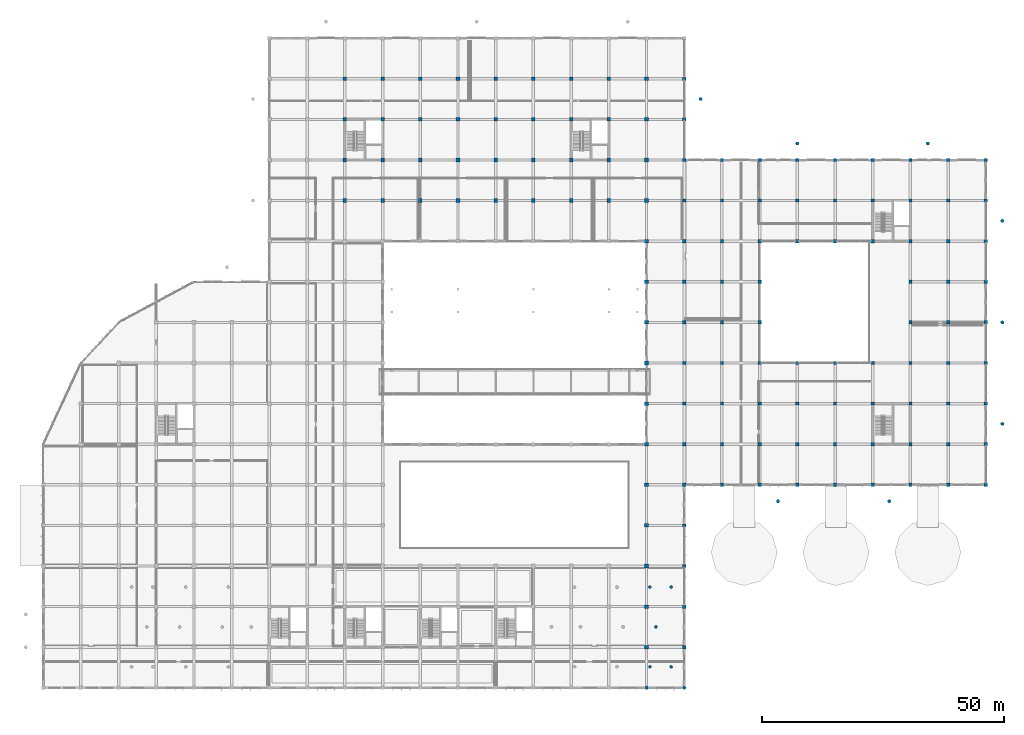
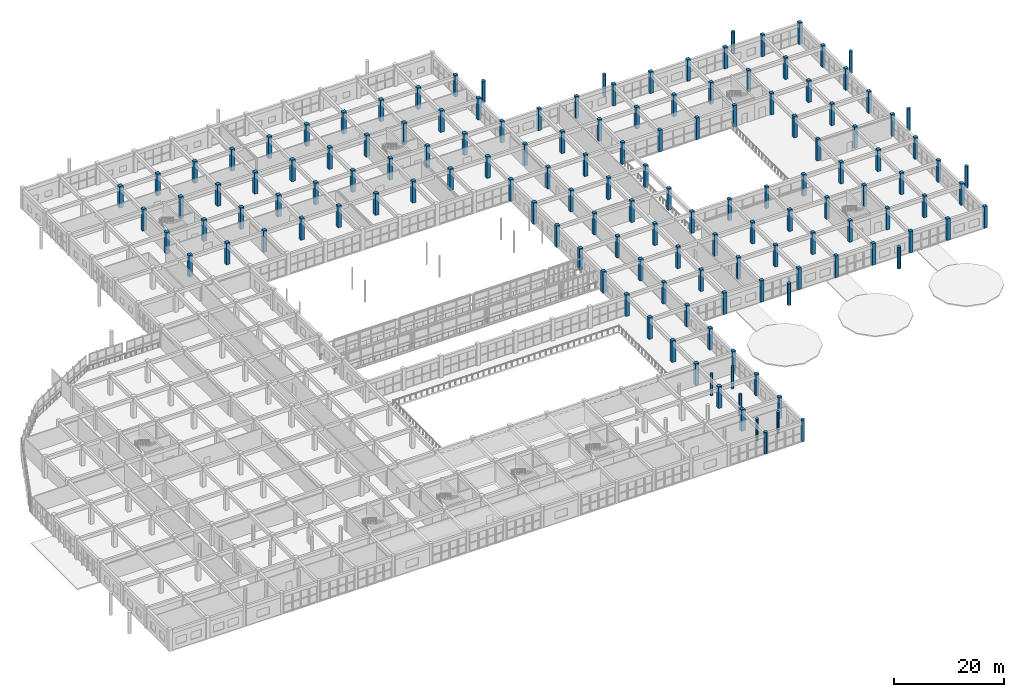
# One storey, part 8 of 175: 143 columns.
"""IFC4 building model written with IfcOpenShell, lengths in metres."""

from ifc_helpers import new_model, si_unit, direction, frame, origin, origin_2d, place, context, subcontext, project, spatial, rectangle, circle, extrude, material, material_profile, profile_set, type_object, element, save


model = new_model("IFC4")

# Units and contexts
model_context = context("Model", 3, precision=1e-05, world=origin(), true_north=direction((0.0, 1.0)))
body_context = subcontext(model_context, "Body", "Model", "MODEL_VIEW")
ifc_project = project(units=[si_unit("LENGTHUNIT", "METRE"), si_unit("AREAUNIT", "SQUARE_METRE"), si_unit("VOLUMEUNIT", "CUBIC_METRE"), si_unit("PLANEANGLEUNIT", "RADIAN"), si_unit("MASSUNIT", "GRAM", prefix="KILO")], contexts=[model_context])

# Site, building, storey
site_placement = place(None, origin())
site = spatial("IfcSite", under=ifc_project, at=site_placement, CompositionType="ELEMENT")
building_placement = place(site_placement, origin())
building = spatial("IfcBuilding", under=site, at=building_placement, Name="Zizhar Promenade General Hospital", CompositionType="ELEMENT")
storey_placement = place(building_placement, frame((0.0, 0.0, 4.800048828125)))
storey = spatial("IfcBuildingStorey", under=building, at=storey_placement, Name="L01", CompositionType="ELEMENT", Elevation=4.800048828125)

# Columns
ifc_material_1 = material(Name="Concrete C40/50", Category="concrete")
ifc_material_profile_1 = material_profile(ifc_material_1, circle(Radius=0.300048828125, at=origin_2d()))
ifc_profile_set_1 = profile_set([ifc_material_profile_1], Name="Concrete C40/50")
column_type_1 = type_object("IfcColumnType", Name="COL-CIRC-600", PredefinedType="PILASTER", material=ifc_profile_set_1)
for number, where, z_axis, x_axis, name in (
    (1, (129.89990234375, 4.35009765625, 0.0), (0.0, 0.0, 1.0), (1.0, 0.0, 0.0), "Ward Terrace Interior Support Column L06-E0 (L01)"),
    (2, (129.89990234375, 20.85009765625, 0.0), (0.0, 0.0, 1.0), (1.0, 0.0, 0.0), "Ward Terrace Interior Support Column L06-E1 (L01)"),
    (3, (126.75, 12.60009765625, 0.0), (0.0, 0.0, 1.0), (1.0, 0.0, 0.0), "Ward Terrace Interior Support Column L06-E2 (L01)"),
    (4, (125.5, 4.35009765625, 0.0), (0.0, 0.0, 1.0), (1.0, 0.0, 0.0), "Ward Terrace Interior Support Column L07-E0 (L01)"),
    (5, (125.5, 20.85009765625, 0.0), (0.0, 0.0, 1.0), (1.0, 0.0, 0.0), "Ward Terrace Interior Support Column L07-E1 (L01)"),
):
    element("IfcColumn", number, at=place(storey_placement, frame(where, z_axis=z_axis, x_axis=x_axis)), inside=storey, type_object=column_type_1, Name=name, PredefinedType="PILASTER", context=body_context, shape_type="SweptSolid", body=[
        extrude(circle(Radius=0.300048828125, at=origin_2d()), origin(), (0.0, 0.0, 1.0), 4.800048828125),
    ])
ifc_material_2 = material(Name="Concrete C40/50", Category="concrete")
ifc_material_profile_2 = material_profile(ifc_material_2, circle(Radius=0.35009765625, at=origin_2d()))
ifc_profile_set_2 = profile_set([ifc_material_profile_2], Name="Concrete C40/50")
column_type_2 = type_object("IfcColumnType", Name="COL-CIRC-700", PredefinedType="PILASTER", material=ifc_profile_set_2)
for number, where, z_axis, x_axis, name in (
    (6, (124.800048828125, 0.0, 0.0), (0.0, 0.0, 1.0), (1.0, 0.0, 0.0), "Column 17-A (L01)"),
    (7, (132.60009765625, 0.0, 0.0), (0.0, 0.0, 1.0), (1.0, 0.0, 0.0), "Column 18-A (L01)"),
    (8, (136.0, 121.800048828125, 0.0), (0.0, 0.0, 1.0), (1.0, 0.0, 0.0), "Base Roof Colonnade Column 09 (L01)"),
    (9, (156.0, 112.60009765625, 0.0), (0.0, 0.0, 1.0), (1.0, 0.0, 0.0), "Base Roof Colonnade Column 10 (L01)"),
    (10, (183.0, 112.60009765625, 0.0), (0.0, 0.0, 1.0), (1.0, 0.0, 0.0), "Base Roof Colonnade Column 11 (L01)"),
    (11, (198.39990234375, 96.60009765625, 0.0), (0.0, 0.0, 1.0), (1.0, 0.0, 0.0), "Base Roof Colonnade Column 12 (L01)"),
    (12, (198.39990234375, 75.60009765625, 0.0), (0.0, 0.0, 1.0), (1.0, 0.0, 0.0), "Base Roof Colonnade Column 13 (L01)"),
    (13, (198.39990234375, 54.60009765625, 0.0), (0.0, 0.0, 1.0), (1.0, 0.0, 0.0), "Base Roof Colonnade Column 14 (L01)"),
    (14, (175.0, 38.60009765625, 0.0), (0.0, 0.0, 1.0), (1.0, 0.0, 0.0), "Base Roof Colonnade Column 15 (L01)"),
    (15, (152.0, 38.60009765625, 0.0), (0.0, 0.0, 1.0), (1.0, 0.0, 0.0), "Base Roof Colonnade Column 16 (L01)"),
):
    element("IfcColumn", number, at=place(storey_placement, frame(where, z_axis=z_axis, x_axis=x_axis)), inside=storey, type_object=column_type_2, Name=name, PredefinedType="PILASTER", context=body_context, shape_type="SweptSolid", body=[
        extrude(circle(Radius=0.35009765625, at=origin_2d()), origin(), (0.0, 0.0, 1.0), 4.800048828125),
    ])
ifc_material_3 = material(Name="Concrete C40/50", Category="concrete")
ifc_material_profile_3 = material_profile(ifc_material_3, rectangle(XDim=0.679931640625, YDim=0.679931640625, at=origin_2d()))
ifc_profile_set_3 = profile_set([ifc_material_profile_3], Name="Concrete C40/50")
column_type_3 = type_object("IfcColumnType", Name="COL-RC-680", PredefinedType="COLUMN", material=ifc_profile_set_3)
for number, where, z_axis, x_axis, name in (
    (16, (132.60009765625, 8.39990234375, 0.0), (0.0, 0.0, 1.0), (1.0, 0.0, 0.0), "Column 18-B (L01)"),
    (17, (132.60009765625, 16.800048828125, 0.0), (0.0, 0.0, 1.0), (1.0, 0.0, 0.0), "Column 18-C (L01)"),
    (18, (132.60009765625, 25.199951171875, 0.0), (0.0, 0.0, 1.0), (1.0, 0.0, 0.0), "Column 18-D (L01)"),
    (19, (132.60009765625, 33.60009765625, 0.0), (0.0, 0.0, 1.0), (1.0, 0.0, 0.0), "Column 18-E (L01)"),
    (20, (132.60009765625, 42.0, 0.0), (0.0, 0.0, 1.0), (1.0, 0.0, 0.0), "Column 18-F (L01)"),
    (21, (132.60009765625, 50.39990234375, 0.0), (0.0, 0.0, 1.0), (1.0, 0.0, 0.0), "Column 18-G (L01)"),
    (22, (132.60009765625, 58.800048828125, 0.0), (0.0, 0.0, 1.0), (1.0, 0.0, 0.0), "Column 18-H (L01)"),
    (23, (132.60009765625, 67.199951171875, 0.0), (0.0, 0.0, 1.0), (1.0, 0.0, 0.0), "Column 18-J (L01)"),
    (24, (132.60009765625, 75.60009765625, 0.0), (0.0, 0.0, 1.0), (1.0, 0.0, 0.0), "Column 18-K (L01)"),
    (25, (132.60009765625, 84.0, 0.0), (0.0, 0.0, 1.0), (1.0, 0.0, 0.0), "Column 18-L (L01)"),
    (26, (132.60009765625, 92.39990234375, 0.0), (0.0, 0.0, 1.0), (1.0, 0.0, 0.0), "Column 18-M (L01)"),
    (27, (132.60009765625, 100.800048828125, 0.0), (0.0, 0.0, 1.0), (1.0, 0.0, 0.0), "Column 18-N (L01)"),
    (28, (132.60009765625, 109.199951171875, 0.0), (0.0, 0.0, 1.0), (1.0, 0.0, 0.0), "Column 18-P (L01)"),
    (29, (132.60009765625, 117.60009765625, 0.0), (0.0, 0.0, 1.0), (1.0, 0.0, 0.0), "Column 18-Q (L01)"),
    (30, (132.60009765625, 126.0, 0.0), (0.0, 0.0, 1.0), (1.0, 0.0, 0.0), "Column 18-R (L01)"),
    (31, (140.39990234375, 42.0, 0.0), (0.0, 0.0, 1.0), (1.0, 0.0, 0.0), "Column 19-F (L01)"),
    (32, (140.39990234375, 50.39990234375, 0.0), (0.0, 0.0, 1.0), (1.0, 0.0, 0.0), "Column 19-G (L01)"),
    (33, (140.39990234375, 58.800048828125, 0.0), (0.0, 0.0, 1.0), (1.0, 0.0, 0.0), "Column 19-H (L01)"),
    (34, (140.39990234375, 67.199951171875, 0.0), (0.0, 0.0, 1.0), (1.0, 0.0, 0.0), "Column 19-J (L01)"),
    (35, (140.39990234375, 75.60009765625, 0.0), (0.0, 0.0, 1.0), (1.0, 0.0, 0.0), "Column 19-K (L01)"),
    (36, (140.39990234375, 84.0, 0.0), (0.0, 0.0, 1.0), (1.0, 0.0, 0.0), "Column 19-L (L01)"),
    (37, (140.39990234375, 92.39990234375, 0.0), (0.0, 0.0, 1.0), (1.0, 0.0, 0.0), "Column 19-M (L01)"),
    (38, (140.39990234375, 100.800048828125, 0.0), (0.0, 0.0, 1.0), (1.0, 0.0, 0.0), "Column 19-N (L01)"),
    (39, (140.39990234375, 109.199951171875, 0.0), (0.0, 0.0, 1.0), (1.0, 0.0, 0.0), "Column 19-P (L01)"),
    (40, (148.199951171875, 42.0, 0.0), (0.0, 0.0, 1.0), (1.0, 0.0, 0.0), "Column 20-F (L01)"),
    (41, (148.199951171875, 50.39990234375, 0.0), (0.0, 0.0, 1.0), (1.0, 0.0, 0.0), "Column 20-G (L01)"),
    (42, (148.199951171875, 58.800048828125, 0.0), (0.0, 0.0, 1.0), (1.0, 0.0, 0.0), "Column 20-H (L01)"),
    (43, (148.199951171875, 67.199951171875, 0.0), (0.0, 0.0, 1.0), (1.0, 0.0, 0.0), "Column 20-J (L01)"),
    (44, (148.199951171875, 75.60009765625, 0.0), (0.0, 0.0, 1.0), (1.0, 0.0, 0.0), "Column 20-K (L01)"),
    (45, (148.199951171875, 84.0, 0.0), (0.0, 0.0, 1.0), (1.0, 0.0, 0.0), "Column 20-L (L01)"),
    (46, (148.199951171875, 92.39990234375, 0.0), (0.0, 0.0, 1.0), (1.0, 0.0, 0.0), "Column 20-M (L01)"),
    (47, (148.199951171875, 100.800048828125, 0.0), (0.0, 0.0, 1.0), (1.0, 0.0, 0.0), "Column 20-N (L01)"),
    (48, (148.199951171875, 109.199951171875, 0.0), (0.0, 0.0, 1.0), (1.0, 0.0, 0.0), "Column 20-P (L01)"),
    (49, (156.0, 42.0, 0.0), (0.0, 0.0, 1.0), (1.0, 0.0, 0.0), "Column 21-F (L01)"),
    (50, (156.0, 50.39990234375, 0.0), (0.0, 0.0, 1.0), (1.0, 0.0, 0.0), "Column 21-G (L01)"),
    (51, (156.0, 58.800048828125, 0.0), (0.0, 0.0, 1.0), (1.0, 0.0, 0.0), "Column 21-H (L01)"),
    (52, (156.0, 67.199951171875, 0.0), (0.0, 0.0, 1.0), (1.0, 0.0, 0.0), "Column 21-J (L01)"),
    (53, (156.0, 92.39990234375, 0.0), (0.0, 0.0, 1.0), (1.0, 0.0, 0.0), "Column 21-M (L01)"),
    (54, (156.0, 100.800048828125, 0.0), (0.0, 0.0, 1.0), (1.0, 0.0, 0.0), "Column 21-N (L01)"),
    (55, (156.0, 109.199951171875, 0.0), (0.0, 0.0, 1.0), (1.0, 0.0, 0.0), "Column 21-P (L01)"),
    (56, (163.800048828125, 42.0, 0.0), (0.0, 0.0, 1.0), (1.0, 0.0, 0.0), "Column 22-F (L01)"),
    (57, (163.800048828125, 50.39990234375, 0.0), (0.0, 0.0, 1.0), (1.0, 0.0, 0.0), "Column 22-G (L01)"),
    (58, (163.800048828125, 58.800048828125, 0.0), (0.0, 0.0, 1.0), (1.0, 0.0, 0.0), "Column 22-H (L01)"),
    (59, (163.800048828125, 67.199951171875, 0.0), (0.0, 0.0, 1.0), (1.0, 0.0, 0.0), "Column 22-J (L01)"),
    (60, (163.800048828125, 92.39990234375, 0.0), (0.0, 0.0, 1.0), (1.0, 0.0, 0.0), "Column 22-M (L01)"),
    (61, (163.800048828125, 100.800048828125, 0.0), (0.0, 0.0, 1.0), (1.0, 0.0, 0.0), "Column 22-N (L01)"),
    (62, (163.800048828125, 109.199951171875, 0.0), (0.0, 0.0, 1.0), (1.0, 0.0, 0.0), "Column 22-P (L01)"),
    (63, (171.60009765625, 42.0, 0.0), (0.0, 0.0, 1.0), (1.0, 0.0, 0.0), "Column 23-F (L01)"),
    (64, (171.60009765625, 50.39990234375, 0.0), (0.0, 0.0, 1.0), (1.0, 0.0, 0.0), "Column 23-G (L01)"),
    (65, (171.60009765625, 58.800048828125, 0.0), (0.0, 0.0, 1.0), (1.0, 0.0, 0.0), "Column 23-H (L01)"),
    (66, (171.60009765625, 67.199951171875, 0.0), (0.0, 0.0, 1.0), (1.0, 0.0, 0.0), "Column 23-J (L01)"),
    (67, (171.60009765625, 92.39990234375, 0.0), (0.0, 0.0, 1.0), (1.0, 0.0, 0.0), "Column 23-M (L01)"),
    (68, (171.60009765625, 100.800048828125, 0.0), (0.0, 0.0, 1.0), (1.0, 0.0, 0.0), "Column 23-N (L01)"),
    (69, (171.60009765625, 109.199951171875, 0.0), (0.0, 0.0, 1.0), (1.0, 0.0, 0.0), "Column 23-P (L01)"),
    (70, (179.39990234375, 42.0, 0.0), (0.0, 0.0, 1.0), (1.0, 0.0, 0.0), "Column 24-F (L01)"),
    (71, (179.39990234375, 50.39990234375, 0.0), (0.0, 0.0, 1.0), (1.0, 0.0, 0.0), "Column 24-G (L01)"),
    (72, (179.39990234375, 58.800048828125, 0.0), (0.0, 0.0, 1.0), (1.0, 0.0, 0.0), "Column 24-H (L01)"),
    (73, (179.39990234375, 67.199951171875, 0.0), (0.0, 0.0, 1.0), (1.0, 0.0, 0.0), "Column 24-J (L01)"),
    (74, (179.39990234375, 75.60009765625, 0.0), (0.0, 0.0, 1.0), (1.0, 0.0, 0.0), "Column 24-K (L01)"),
    (75, (179.39990234375, 84.0, 0.0), (0.0, 0.0, 1.0), (1.0, 0.0, 0.0), "Column 24-L (L01)"),
    (76, (179.39990234375, 92.39990234375, 0.0), (0.0, 0.0, 1.0), (1.0, 0.0, 0.0), "Column 24-M (L01)"),
    (77, (179.39990234375, 100.800048828125, 0.0), (0.0, 0.0, 1.0), (1.0, 0.0, 0.0), "Column 24-N (L01)"),
    (78, (179.39990234375, 109.199951171875, 0.0), (0.0, 0.0, 1.0), (1.0, 0.0, 0.0), "Column 24-P (L01)"),
    (79, (187.199951171875, 42.0, 0.0), (0.0, 0.0, 1.0), (1.0, 0.0, 0.0), "Column 25-F (L01)"),
    (80, (187.199951171875, 50.39990234375, 0.0), (0.0, 0.0, 1.0), (1.0, 0.0, 0.0), "Column 25-G (L01)"),
    (81, (187.199951171875, 58.800048828125, 0.0), (0.0, 0.0, 1.0), (1.0, 0.0, 0.0), "Column 25-H (L01)"),
    (82, (187.199951171875, 67.199951171875, 0.0), (0.0, 0.0, 1.0), (1.0, 0.0, 0.0), "Column 25-J (L01)"),
    (83, (187.199951171875, 75.60009765625, 0.0), (0.0, 0.0, 1.0), (1.0, 0.0, 0.0), "Column 25-K (L01)"),
    (84, (187.199951171875, 84.0, 0.0), (0.0, 0.0, 1.0), (1.0, 0.0, 0.0), "Column 25-L (L01)"),
    (85, (187.199951171875, 92.39990234375, 0.0), (0.0, 0.0, 1.0), (1.0, 0.0, 0.0), "Column 25-M (L01)"),
    (86, (187.199951171875, 100.800048828125, 0.0), (0.0, 0.0, 1.0), (1.0, 0.0, 0.0), "Column 25-N (L01)"),
    (87, (187.199951171875, 109.199951171875, 0.0), (0.0, 0.0, 1.0), (1.0, 0.0, 0.0), "Column 25-P (L01)"),
    (88, (195.0, 42.0, 0.0), (0.0, 0.0, 1.0), (1.0, 0.0, 0.0), "Column 26-F (L01)"),
    (89, (195.0, 50.39990234375, 0.0), (0.0, 0.0, 1.0), (1.0, 0.0, 0.0), "Column 26-G (L01)"),
    (90, (195.0, 58.800048828125, 0.0), (0.0, 0.0, 1.0), (1.0, 0.0, 0.0), "Column 26-H (L01)"),
    (91, (195.0, 67.199951171875, 0.0), (0.0, 0.0, 1.0), (1.0, 0.0, 0.0), "Column 26-J (L01)"),
    (92, (195.0, 75.60009765625, 0.0), (0.0, 0.0, 1.0), (1.0, 0.0, 0.0), "Column 26-K (L01)"),
    (93, (195.0, 84.0, 0.0), (0.0, 0.0, 1.0), (1.0, 0.0, 0.0), "Column 26-L (L01)"),
    (94, (195.0, 92.39990234375, 0.0), (0.0, 0.0, 1.0), (1.0, 0.0, 0.0), "Column 26-M (L01)"),
    (95, (195.0, 100.800048828125, 0.0), (0.0, 0.0, 1.0), (1.0, 0.0, 0.0), "Column 26-N (L01)"),
    (96, (195.0, 109.199951171875, 0.0), (0.0, 0.0, 1.0), (1.0, 0.0, 0.0), "Column 26-P (L01)"),
):
    element("IfcColumn", number, at=place(storey_placement, frame(where, z_axis=z_axis, x_axis=x_axis)), inside=storey, type_object=column_type_3, Name=name, PredefinedType="COLUMN", context=body_context, shape_type="SweptSolid", body=[
        extrude(rectangle(XDim=0.679931640625, YDim=0.679931640625, at=origin_2d()), origin(), (0.0, 0.0, 1.0), 4.800048828125),
    ])
ifc_material_4 = material(Name="Concrete C40/50", Category="concrete")
ifc_material_profile_4 = material_profile(ifc_material_4, rectangle(XDim=0.75, YDim=0.75, at=origin_2d()))
ifc_profile_set_4 = profile_set([ifc_material_profile_4], Name="Concrete C40/50")
column_type_4 = type_object("IfcColumnType", Name="COL-RC-750", PredefinedType="COLUMN", material=ifc_profile_set_4)
for number, where, z_axis, x_axis, name in (
    (97, (62.39990234375, 100.800048828125, 0.0), (0.0, 0.0, 1.0), (1.0, 0.0, 0.0), "Column 9-N (L01)"),
    (98, (62.39990234375, 109.199951171875, 0.0), (0.0, 0.0, 1.0), (1.0, 0.0, 0.0), "Column 9-P (L01)"),
    (99, (62.39990234375, 117.60009765625, 0.0), (0.0, 0.0, 1.0), (1.0, 0.0, 0.0), "Column 9-Q (L01)"),
    (100, (62.39990234375, 126.0, 0.0), (0.0, 0.0, 1.0), (1.0, 0.0, 0.0), "Column 9-R (L01)"),
    (101, (70.199951171875, 100.800048828125, 0.0), (0.0, 0.0, 1.0), (1.0, 0.0, 0.0), "Column 10-N (L01)"),
    (102, (70.199951171875, 109.199951171875, 0.0), (0.0, 0.0, 1.0), (1.0, 0.0, 0.0), "Column 10-P (L01)"),
    (103, (70.199951171875, 117.60009765625, 0.0), (0.0, 0.0, 1.0), (1.0, 0.0, 0.0), "Column 10-Q (L01)"),
    (104, (70.199951171875, 126.0, 0.0), (0.0, 0.0, 1.0), (1.0, 0.0, 0.0), "Column 10-R (L01)"),
    (105, (78.0, 100.800048828125, 0.0), (0.0, 0.0, 1.0), (1.0, 0.0, 0.0), "Column 11-N (L01)"),
    (106, (78.0, 109.199951171875, 0.0), (0.0, 0.0, 1.0), (1.0, 0.0, 0.0), "Column 11-P (L01)"),
    (107, (78.0, 117.60009765625, 0.0), (0.0, 0.0, 1.0), (1.0, 0.0, 0.0), "Column 11-Q (L01)"),
    (108, (78.0, 126.0, 0.0), (0.0, 0.0, 1.0), (1.0, 0.0, 0.0), "Column 11-R (L01)"),
    (109, (85.800048828125, 100.800048828125, 0.0), (0.0, 0.0, 1.0), (1.0, 0.0, 0.0), "Column 12-N (L01)"),
    (110, (85.800048828125, 109.199951171875, 0.0), (0.0, 0.0, 1.0), (1.0, 0.0, 0.0), "Column 12-P (L01)"),
    (111, (85.800048828125, 117.60009765625, 0.0), (0.0, 0.0, 1.0), (1.0, 0.0, 0.0), "Column 12-Q (L01)"),
    (112, (85.800048828125, 126.0, 0.0), (0.0, 0.0, 1.0), (1.0, 0.0, 0.0), "Column 12-R (L01)"),
    (113, (93.60009765625, 100.800048828125, 0.0), (0.0, 0.0, 1.0), (1.0, 0.0, 0.0), "Column 13-N (L01)"),
    (114, (93.60009765625, 109.199951171875, 0.0), (0.0, 0.0, 1.0), (1.0, 0.0, 0.0), "Column 13-P (L01)"),
    (115, (93.60009765625, 117.60009765625, 0.0), (0.0, 0.0, 1.0), (1.0, 0.0, 0.0), "Column 13-Q (L01)"),
    (116, (93.60009765625, 126.0, 0.0), (0.0, 0.0, 1.0), (1.0, 0.0, 0.0), "Column 13-R (L01)"),
    (117, (101.39990234375, 100.800048828125, 0.0), (0.0, 0.0, 1.0), (1.0, 0.0, 0.0), "Column 14-N (L01)"),
    (118, (101.39990234375, 109.199951171875, 0.0), (0.0, 0.0, 1.0), (1.0, 0.0, 0.0), "Column 14-P (L01)"),
    (119, (101.39990234375, 117.60009765625, 0.0), (0.0, 0.0, 1.0), (1.0, 0.0, 0.0), "Column 14-Q (L01)"),
    (120, (101.39990234375, 126.0, 0.0), (0.0, 0.0, 1.0), (1.0, 0.0, 0.0), "Column 14-R (L01)"),
    (121, (109.199951171875, 100.800048828125, 0.0), (0.0, 0.0, 1.0), (1.0, 0.0, 0.0), "Column 15-N (L01)"),
    (122, (109.199951171875, 109.199951171875, 0.0), (0.0, 0.0, 1.0), (1.0, 0.0, 0.0), "Column 15-P (L01)"),
    (123, (109.199951171875, 117.60009765625, 0.0), (0.0, 0.0, 1.0), (1.0, 0.0, 0.0), "Column 15-Q (L01)"),
    (124, (109.199951171875, 126.0, 0.0), (0.0, 0.0, 1.0), (1.0, 0.0, 0.0), "Column 15-R (L01)"),
    (125, (117.0, 100.800048828125, 0.0), (0.0, 0.0, 1.0), (1.0, 0.0, 0.0), "Column 16-N (L01)"),
    (126, (117.0, 109.199951171875, 0.0), (0.0, 0.0, 1.0), (1.0, 0.0, 0.0), "Column 16-P (L01)"),
    (127, (117.0, 117.60009765625, 0.0), (0.0, 0.0, 1.0), (1.0, 0.0, 0.0), "Column 16-Q (L01)"),
    (128, (117.0, 126.0, 0.0), (0.0, 0.0, 1.0), (1.0, 0.0, 0.0), "Column 16-R (L01)"),
    (129, (124.800048828125, 8.39990234375, 0.0), (0.0, 0.0, 1.0), (1.0, 0.0, 0.0), "Column 17-B (L01)"),
    (130, (124.800048828125, 16.800048828125, 0.0), (0.0, 0.0, 1.0), (1.0, 0.0, 0.0), "Column 17-C (L01)"),
    (131, (124.800048828125, 25.199951171875, 0.0), (0.0, 0.0, 1.0), (1.0, 0.0, 0.0), "Column 17-D (L01)"),
    (132, (124.800048828125, 33.60009765625, 0.0), (0.0, 0.0, 1.0), (1.0, 0.0, 0.0), "Column 17-E (L01)"),
    (133, (124.800048828125, 42.0, 0.0), (0.0, 0.0, 1.0), (1.0, 0.0, 0.0), "Column 17-F (L01)"),
    (134, (124.800048828125, 50.39990234375, 0.0), (0.0, 0.0, 1.0), (1.0, 0.0, 0.0), "Column 17-G (L01)"),
    (135, (124.800048828125, 58.800048828125, 0.0), (0.0, 0.0, 1.0), (1.0, 0.0, 0.0), "Column 17-H (L01)"),
    (136, (124.800048828125, 67.199951171875, 0.0), (0.0, 0.0, 1.0), (1.0, 0.0, 0.0), "Column 17-J (L01)"),
    (137, (124.800048828125, 75.60009765625, 0.0), (0.0, 0.0, 1.0), (1.0, 0.0, 0.0), "Column 17-K (L01)"),
    (138, (124.800048828125, 84.0, 0.0), (0.0, 0.0, 1.0), (1.0, 0.0, 0.0), "Column 17-L (L01)"),
    (139, (124.800048828125, 92.39990234375, 0.0), (0.0, 0.0, 1.0), (1.0, 0.0, 0.0), "Column 17-M (L01)"),
    (140, (124.800048828125, 100.800048828125, 0.0), (0.0, 0.0, 1.0), (1.0, 0.0, 0.0), "Column 17-N (L01)"),
    (141, (124.800048828125, 109.199951171875, 0.0), (0.0, 0.0, 1.0), (1.0, 0.0, 0.0), "Column 17-P (L01)"),
    (142, (124.800048828125, 117.60009765625, 0.0), (0.0, 0.0, 1.0), (1.0, 0.0, 0.0), "Column 17-Q (L01)"),
    (143, (124.800048828125, 126.0, 0.0), (0.0, 0.0, 1.0), (1.0, 0.0, 0.0), "Column 17-R (L01)"),
):
    element("IfcColumn", number, at=place(storey_placement, frame(where, z_axis=z_axis, x_axis=x_axis)), inside=storey, type_object=column_type_4, Name=name, PredefinedType="COLUMN", context=body_context, shape_type="SweptSolid", body=[
        extrude(rectangle(XDim=0.75, YDim=0.75, at=origin_2d()), origin(), (0.0, 0.0, 1.0), 4.800048828125),
    ])

save(model, "model.ifc")
